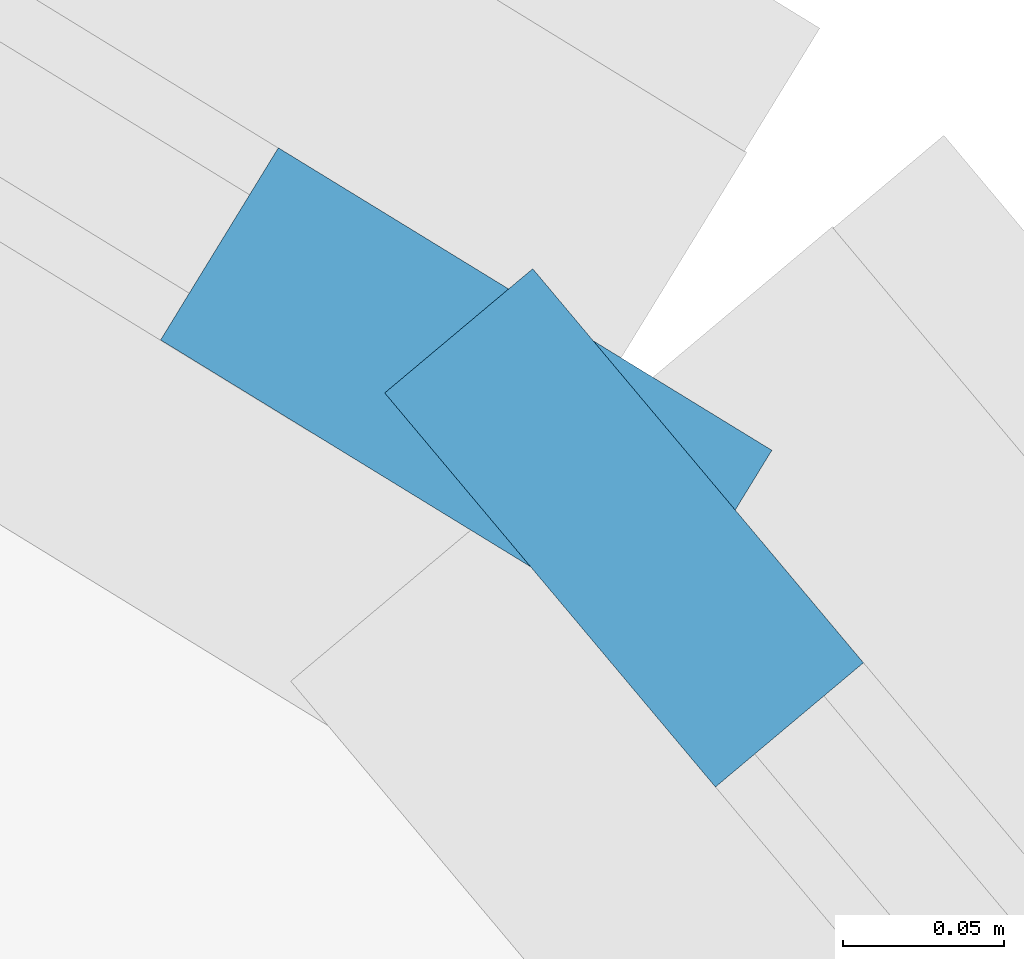
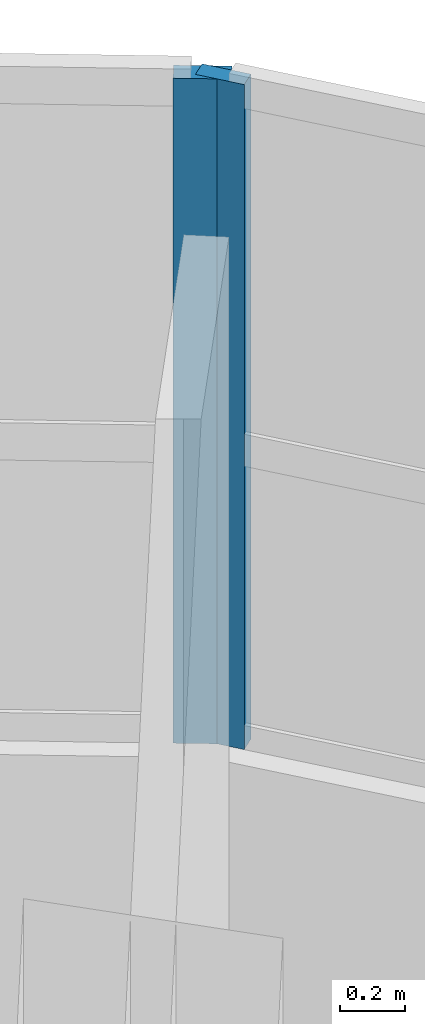
# One storey, part 36 of 60: 2 members, 2 elements without a shape of their own.
"""IFC4 building model written with IfcOpenShell, lengths in metres."""

from ifc_helpers import new_model, si_unit, direction, frame, origin, origin_2d, place, context, subcontext, project, spatial, rectangle, extrude, material, layer, layer_set, material_profile, profile_set, type_object, element, aggregate, save


model = new_model("IFC4")

# Units and contexts
model_context = context("Model", 3, precision=1e-05, world=origin(), true_north=direction((0.0, 1.0)))
body_context = subcontext(model_context, "Body", "Model", "MODEL_VIEW")
ifc_project = project(units=[si_unit("LENGTHUNIT", "METRE"), si_unit("AREAUNIT", "SQUARE_METRE"), si_unit("VOLUMEUNIT", "CUBIC_METRE"), si_unit("PLANEANGLEUNIT", "RADIAN"), si_unit("MASSUNIT", "GRAM", prefix="KILO")], contexts=[model_context])

# Site, building, storey
site_placement = place(None, origin())
site = spatial("IfcSite", under=ifc_project, at=site_placement, CompositionType="ELEMENT")
building_placement = place(site_placement, origin())
building = spatial("IfcBuilding", under=site, at=building_placement, Name="Tarnwether General Hospital", CompositionType="ELEMENT")
storey_placement = place(building_placement, frame((0.0, 0.0, 26.10009765625)))
storey = spatial("IfcBuildingStorey", under=building, at=storey_placement, Name="L06", CompositionType="ELEMENT", Elevation=26.10009765625)

# Curtain wall, member
ifc_material_1 = material(Name="Anodised aluminium", Category="aluminium")
ifc_layer_1 = layer(ifc_material_1, 0.159912109375)
ifc_layer_set_1 = layer_set([ifc_layer_1], Name="Anodised aluminium")
curtain_wall_type_1 = type_object("IfcCurtainWallType", Name="CW-04", PredefinedType="NOTDEFINED", material=ifc_layer_set_1)
curtain_wall_1_placement = place(storey_placement, origin())
curtain_wall_1 = element("IfcCurtainWall", 1, at=curtain_wall_1_placement, inside=storey, type_object=curtain_wall_type_1, Name="Curtain Wall CWG-L06-1273_1135-0117", PredefinedType="NOTDEFINED")
ifc_material_2 = material(Name="Anodised aluminium", Category="aluminium")
ifc_material_profile_1 = material_profile(ifc_material_2, rectangle(XDim=0.06005859375, YDim=0.159912109375, at=origin_2d()), Name="ALU-MUL-60x160")
ifc_profile_set_1 = profile_set([ifc_material_profile_1], Name="Anodised aluminium")
member_type_1 = type_object("IfcMemberType", Name="CW-ML1", PredefinedType="MULLION", material=ifc_profile_set_1)
member_1_placement = place(storey_placement, frame((127.351318359375, 113.43701171875, 1.0498046875), z_axis=(0.0, 0.0, 1.0), x_axis=(0.765990176896, 0.64285227611, 0.0)))
member_1 = element("IfcMember", 2, at=member_1_placement, type_object=member_type_1, Name="CW-04 mullion 1", PredefinedType="MULLION", context=body_context, shape_type="SweptSolid", body=[
    extrude(rectangle(XDim=0.06005859375, YDim=0.159912109375, at=origin_2d()), origin(), (0.0, 0.0, 1.0), 2.4951171875),
])
aggregate(curtain_wall_1, [member_1])

ifc_material_3 = material(Name="Anodised aluminium", Category="aluminium")
ifc_layer_2 = layer(ifc_material_3, 0.179931640625)
ifc_layer_set_2 = layer_set([ifc_layer_2], Name="Anodised aluminium")
curtain_wall_type_2 = type_object("IfcCurtainWallType", Name="CW-06", PredefinedType="NOTDEFINED", material=ifc_layer_set_2)
curtain_wall_2_placement = place(storey_placement, origin())
curtain_wall_2 = element("IfcCurtainWall", 3, at=curtain_wall_2_placement, inside=storey, type_object=curtain_wall_type_2, Name="Curtain Wall CWG-L06-1209_1174-0118", PredefinedType="NOTDEFINED")
ifc_material_4 = material(Name="Anodised aluminium", Category="aluminium")
ifc_material_profile_2 = material_profile(ifc_material_4, rectangle(XDim=0.070068359375, YDim=0.179931640625, at=origin_2d()), Name="ALU-MUL-70x180")
ifc_profile_set_2 = profile_set([ifc_material_profile_2], Name="Anodised aluminium")
member_type_2 = type_object("IfcMemberType", Name="CW-ML2", PredefinedType="MULLION", material=ifc_profile_set_2)
member_2_placement = place(storey_placement, frame((127.30224609375, 113.478271484375, 1.0498046875), z_axis=(0.0, 0.0, 1.0), x_axis=(0.522509056361, 0.852633734977, 0.0)))
member_2 = element("IfcMember", 4, at=member_2_placement, type_object=member_type_2, Name="CW-06 mullion 5", PredefinedType="MULLION", context=body_context, shape_type="SweptSolid", body=[
    extrude(rectangle(XDim=0.070068359375, YDim=0.179931640625, at=origin_2d()), origin(), (0.0, 0.0, 1.0), 2.4951171875),
])
aggregate(curtain_wall_2, [member_2])

save(model, "model.ifc")
